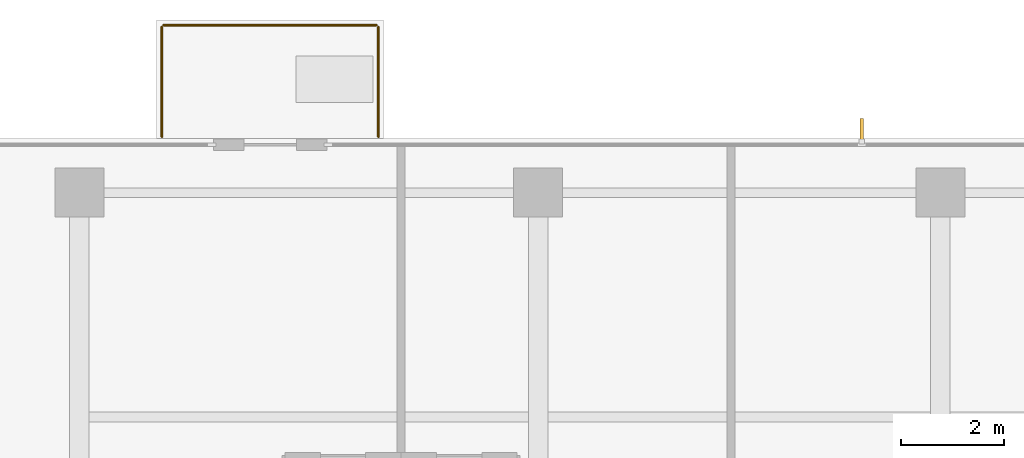
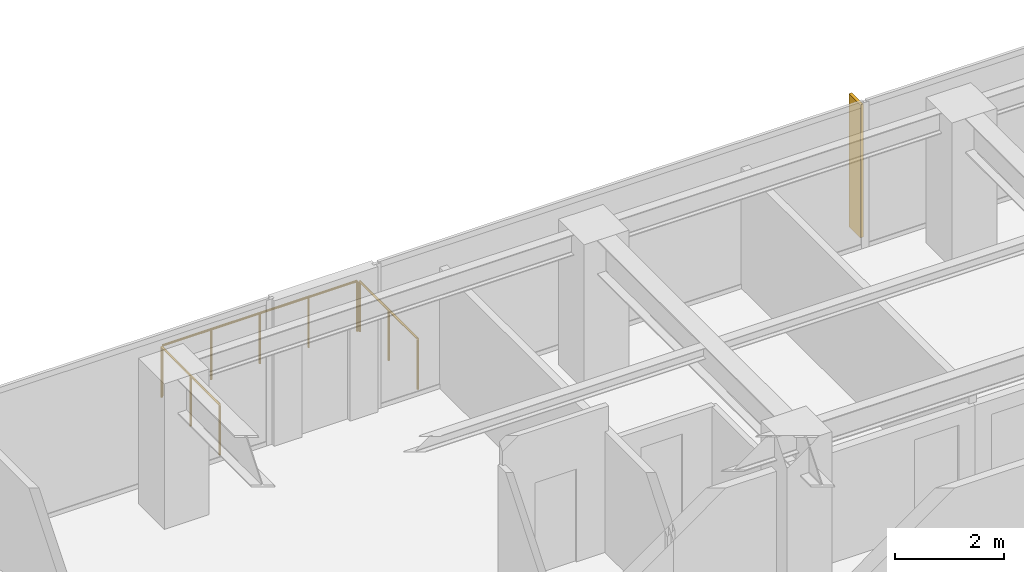
# One storey, part 14 of 14: 3 railings, 1 shading device.
"""IFC4 building model written with IfcOpenShell, lengths in metres."""

from ifc_helpers import new_model, si_unit, direction, frame, origin, origin_2d, place, context, subcontext, project, spatial, polyline, circle, outline, extrude, material, layer, layer_set, type_object, element, save


model = new_model("IFC4")

# Units and contexts
model_context = context("Model", 3, precision=1e-05, world=origin(), true_north=direction((0.0, 1.0)))
body_context = subcontext(model_context, "Body", "Model", "MODEL_VIEW")
ifc_project = project(units=[si_unit("LENGTHUNIT", "METRE"), si_unit("AREAUNIT", "SQUARE_METRE"), si_unit("VOLUMEUNIT", "CUBIC_METRE"), si_unit("PLANEANGLEUNIT", "RADIAN"), si_unit("MASSUNIT", "GRAM", prefix="KILO")], contexts=[model_context])

# Site, building, storey
site_placement = place(None, origin())
site = spatial("IfcSite", under=ifc_project, at=site_placement, CompositionType="ELEMENT")
building_placement = place(site_placement, origin())
building = spatial("IfcBuilding", under=site, at=building_placement, Name="Qalmaran Belvedere Hotel", CompositionType="ELEMENT")
storey_placement = place(building_placement, frame((0.0, 0.0, 228.39990234375)))
storey = spatial("IfcBuildingStorey", under=building, at=storey_placement, Name="L58", CompositionType="ELEMENT", Elevation=228.39990234375)

# Shading device
ifc_material = material(Name="Anodised Bronze Aluminium", Category="aluminium")
ifc_layer = layer(ifc_material, 0.06494140625, Name="Anodised Bronze Aluminium")
ifc_layer_set = layer_set([ifc_layer], Name="Anodised Bronze Aluminium")
shading_device_type = type_object("IfcShadingDeviceType", Name="FIN-BRNZ-420", PredefinedType="USERDEFINED", material=ifc_layer_set)
shading_device_placement = place(storey_placement, frame((0.0, 0.0, 0.16015625)))
element("IfcShadingDevice", 1, at=shading_device_placement, inside=storey, type_object=shading_device_type, Name="L58 Bronze Fin 1", ObjectType="FIN", PredefinedType="USERDEFINED", context=body_context, shape_type="SweptSolid", body=[
    extrude(outline(polyline([(35.507568359375, 41.467529296875), (35.507568359375, 41.887451171875), (35.4423828125, 41.887451171875), (35.4423828125, 41.467529296875), (35.507568359375, 41.467529296875)])), origin(), (0.0, 0.0, 1.0), 2.97998046875),
])

# Railings
railing_type = type_object("IfcRailingType", Name="GRD-BAL-1150", PredefinedType="BALUSTRADE", material=ifc_material)
railing_1_placement = place(storey_placement, frame((21.89990234375, 41.534912109375, 0.0)))
element("IfcRailing", 2, at=railing_1_placement, inside=storey, type_object=railing_type, Name="L58 Guardrail BAL-L58-N-1", PredefinedType="BALUSTRADE", context=body_context, shape_type="SweptSolid", body=[
    extrude(circle(Radius=0.02392578125, at=origin_2d()), frame((0.0, 0.0, 1.1259765625), z_axis=(0.0, 1.0, 0.0), x_axis=(-1.0, 0.0, 0.0)), (0.0, 0.0, 1.0), 2.130126953125),
    extrude(circle(Radius=0.02099609375, at=origin_2d()), origin(), (0.0, 0.0, 1.0), 1.101806640625),
    extrude(circle(Radius=0.02099609375, at=origin_2d()), frame((0.0, 1.06494140625, 0.0)), (0.0, 0.0, 1.0), 1.101806640625),
    extrude(circle(Radius=0.02099609375, at=origin_2d()), frame((0.0, 2.130126953125, 0.0)), (0.0, 0.0, 1.0), 1.101806640625),
])
railing_2_placement = place(storey_placement, frame((21.93505859375, 43.699951171875, 0.0)))
element("IfcRailing", 3, at=railing_2_placement, inside=storey, type_object=railing_type, Name="L58 Guardrail BAL-L58-N-2", PredefinedType="BALUSTRADE", context=body_context, shape_type="SweptSolid", body=[
    extrude(circle(Radius=0.02392578125, at=origin_2d()), frame((0.0, 0.0, 1.1259765625), z_axis=(1.0, 0.0, 0.0), x_axis=(0.0, 1.0, 0.0)), (0.0, 0.0, 1.0), 4.1298828125),
    extrude(circle(Radius=0.02099609375, at=origin_2d()), origin(), (0.0, 0.0, 1.0), 1.101806640625),
    extrude(circle(Radius=0.02099609375, at=origin_2d()), frame((1.032470703125, 0.0, 0.0)), (0.0, 0.0, 1.0), 1.101806640625),
    extrude(circle(Radius=0.02099609375, at=origin_2d()), frame((2.06494140625, 0.0, 0.0)), (0.0, 0.0, 1.0), 1.101806640625),
    extrude(circle(Radius=0.02099609375, at=origin_2d()), frame((3.097412109375, 0.0, 0.0)), (0.0, 0.0, 1.0), 1.101806640625),
    extrude(circle(Radius=0.02099609375, at=origin_2d()), frame((4.1298828125, 0.0, 0.0)), (0.0, 0.0, 1.0), 1.101806640625),
])
railing_3_placement = place(storey_placement, frame((26.10009765625, 43.6650390625, 0.0)))
element("IfcRailing", 4, at=railing_3_placement, inside=storey, type_object=railing_type, Name="L58 Guardrail BAL-L58-N-3", PredefinedType="BALUSTRADE", context=body_context, shape_type="SweptSolid", body=[
    extrude(circle(Radius=0.02392578125, at=origin_2d()), frame((0.0, 0.0, 1.1259765625), z_axis=(0.0, -1.0, 0.0), x_axis=(1.0, 0.0, 0.0)), (0.0, 0.0, 1.0), 2.130126953125),
    extrude(circle(Radius=0.02099609375, at=origin_2d()), origin(), (0.0, 0.0, 1.0), 1.101806640625),
    extrude(circle(Radius=0.02099609375, at=origin_2d()), frame((0.0, -1.06494140625, 0.0)), (0.0, 0.0, 1.0), 1.101806640625),
    extrude(circle(Radius=0.02099609375, at=origin_2d()), frame((0.0, -2.130126953125, 0.0)), (0.0, 0.0, 1.0), 1.101806640625),
])

save(model, "model.ifc")
